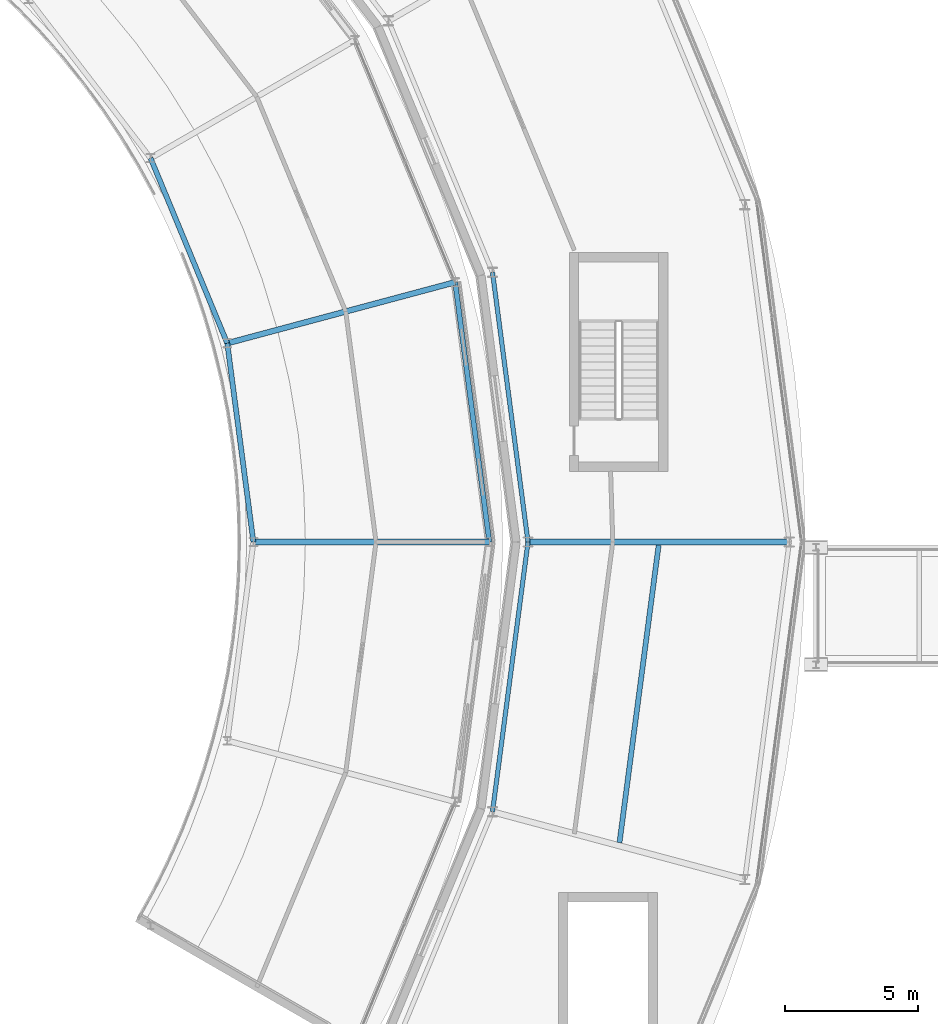
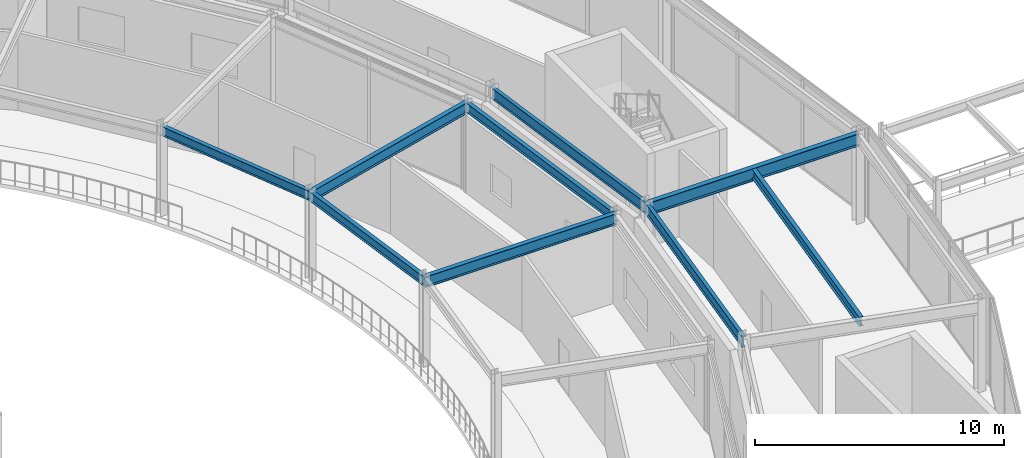
# One storey, part 49 of 157: 9 beams.
"""IFC4 building model written with IfcOpenShell, lengths in metres."""

from ifc_helpers import new_model, si_unit, direction, frame, origin, origin_2d, place, context, subcontext, project, spatial, i_section, extrude, material, material_profile, profile_set, type_object, element, save


model = new_model("IFC4")

# Units and contexts
model_context = context("Model", 3, precision=1e-05, world=origin(), true_north=direction((0.0, 1.0)))
body_context = subcontext(model_context, "Body", "Model", "MODEL_VIEW")
ifc_project = project(units=[si_unit("LENGTHUNIT", "METRE"), si_unit("AREAUNIT", "SQUARE_METRE"), si_unit("VOLUMEUNIT", "CUBIC_METRE"), si_unit("PLANEANGLEUNIT", "RADIAN"), si_unit("MASSUNIT", "GRAM", prefix="KILO")], contexts=[model_context])

# Site, building, storey
site_placement = place(None, origin())
site = spatial("IfcSite", under=ifc_project, at=site_placement, CompositionType="ELEMENT")
building_placement = place(site_placement, origin())
building = spatial("IfcBuilding", under=site, at=building_placement, Name="Almandine Court Research Institute", CompositionType="ELEMENT")
storey_placement = place(building_placement, frame((0.0, 0.0, 5.25)))
storey = spatial("IfcBuildingStorey", under=building, at=storey_placement, Name="L01", CompositionType="ELEMENT", Elevation=5.25)

# Beams
ifc_material = material(Name="Steel ASTM A992 Grade 50", Category="steel")
ifc_material_profile_1 = material_profile(ifc_material, i_section(OverallWidth=0.18994140625, OverallDepth=0.45703125, WebThickness=0.009033203125, FlangeThickness=0.014892578125, at=origin_2d()), Name="W460x74")
ifc_profile_set_1 = profile_set([ifc_material_profile_1], Name="Steel ASTM A992 Grade 50")
beam_type_1 = type_object("IfcBeamType", Name="Beam-B-01", PredefinedType="BEAM", material=ifc_profile_set_1)
beam_1_placement = place(storey_placement, frame((129.531982421875, 44.72802734375, 4.14111328125), z_axis=(0.130512904889, 0.991446610594, 0.0), x_axis=(-0.991446610594, 0.130512904889, 0.0)))
element("IfcBeam", 1, at=beam_1_placement, inside=storey, type_object=beam_type_1, Name="L01 Drum MID Ring Beam 23", PredefinedType="BEAM", context=body_context, shape_type="SweptSolid", body=[
    extrude(i_section(OverallWidth=0.18994140625, OverallDepth=0.45703125, WebThickness=0.009033203125, FlangeThickness=0.014892578125, at=origin_2d()), origin(), (0.0, 0.0, 1.0), 11.248046875),
])
beam_2_placement = place(storey_placement, frame((124.64990234375, 56.0, 4.14111328125), z_axis=(-0.130525188913, 0.991444993461, 0.0), x_axis=(-0.991444993461, -0.130525188913, 0.0)))
element("IfcBeam", 2, at=beam_2_placement, inside=storey, type_object=beam_type_1, Name="L01 Atrium Outer Ring Beam", PredefinedType="BEAM", context=body_context, shape_type="SweptSolid", body=[
    extrude(i_section(OverallWidth=0.18994140625, OverallDepth=0.45703125, WebThickness=0.009033203125, FlangeThickness=0.014892578125, at=origin_2d()), origin(), (0.0, 0.0, 1.0), 9.8291015625),
])
beam_3_placement = place(storey_placement, frame((115.800048828125, 56.0, 4.14111328125), z_axis=(-0.130474672489, 0.991451642713, 0.0), x_axis=(-0.991451642713, -0.130474672489, 0.0)))
element("IfcBeam", 3, at=beam_3_placement, inside=storey, type_object=beam_type_1, Name="L01 Atrium Gallery Edge Beam", PredefinedType="BEAM", context=body_context, shape_type="SweptSolid", body=[
    extrude(i_section(OverallWidth=0.18994140625, OverallDepth=0.45703125, WebThickness=0.009033203125, FlangeThickness=0.014892578125, at=origin_2d()), origin(), (0.0, 0.0, 1.0), 7.518310546875),
])
beam_4_placement = place(storey_placement, frame((114.819091796875, 63.4541015625, 4.14111328125), z_axis=(-0.382700732442, 0.923872366395, 0.0), x_axis=(-0.923872366395, -0.382700732442, 0.0)))
element("IfcBeam", 4, at=beam_4_placement, inside=storey, type_object=beam_type_1, Name="L01 Atrium Gallery Edge Beam", PredefinedType="BEAM", context=body_context, shape_type="SweptSolid", body=[
    extrude(i_section(OverallWidth=0.18994140625, OverallDepth=0.45703125, WebThickness=0.009033203125, FlangeThickness=0.014892578125, at=origin_2d()), origin(), (0.0, 0.0, 1.0), 7.51806640625),
])
ifc_material_profile_2 = material_profile(ifc_material, i_section(OverallWidth=0.22998046875, OverallDepth=0.616943359375, WebThickness=0.012939453125, FlangeThickness=0.02197265625, at=origin_2d()), Name="W610x140")
ifc_profile_set_2 = profile_set([ifc_material_profile_2], Name="Steel ASTM A992 Grade 50")
beam_type_2 = type_object("IfcBeamType", Name="Beam-G-02", PredefinedType="BEAM", material=ifc_profile_set_2)
beam_5_placement = place(storey_placement, frame((126.10009765625, 56.0, 4.06103515625), z_axis=(1.0, 0.0, 0.0), x_axis=(0.0, 1.0, 0.0)))
element("IfcBeam", 5, at=beam_5_placement, inside=storey, type_object=beam_type_2, Name="L01 Drum Radial Girder 00", PredefinedType="BEAM", context=body_context, shape_type="SweptSolid", body=[
    extrude(i_section(OverallWidth=0.22998046875, OverallDepth=0.616943359375, WebThickness=0.012939453125, FlangeThickness=0.02197265625, at=origin_2d()), origin(), (0.0, 0.0, 1.0), 9.7998046875),
])
ifc_material_profile_3 = material_profile(ifc_material, i_section(OverallWidth=0.2109375, OverallDepth=0.5390625, WebThickness=0.011962890625, FlangeThickness=0.01904296875, at=origin_2d()), Name="W530x109")
ifc_profile_set_3 = profile_set([ifc_material_profile_3], Name="Steel ASTM A992 Grade 50")
beam_type_3 = type_object("IfcBeamType", Name="Beam-G-04", PredefinedType="BEAM", material=ifc_profile_set_3)
beam_6_placement = place(storey_placement, frame((115.800048828125, 56.0, 4.10009765625), z_axis=(1.0, 0.0, 0.0), x_axis=(0.0, 1.0, 0.0)))
element("IfcBeam", 6, at=beam_6_placement, inside=storey, type_object=beam_type_3, Name="L01 Atrium Gallery Radial Girder", PredefinedType="BEAM", context=body_context, shape_type="SweptSolid", body=[
    extrude(i_section(OverallWidth=0.2109375, OverallDepth=0.5390625, WebThickness=0.011962890625, FlangeThickness=0.01904296875, at=origin_2d()), origin(), (0.0, 0.0, 1.0), 8.849853515625),
])
beam_7_placement = place(storey_placement, frame((114.819091796875, 63.4541015625, 4.10009765625), z_axis=(0.965908147944, 0.258885012576, 0.0), x_axis=(-0.258885012576, 0.965908147944, 0.0)))
element("IfcBeam", 7, at=beam_7_placement, inside=storey, type_object=beam_type_3, Name="L01 Atrium Gallery Radial Girder", PredefinedType="BEAM", context=body_context, shape_type="SweptSolid", body=[
    extrude(i_section(OverallWidth=0.2109375, OverallDepth=0.5390625, WebThickness=0.011962890625, FlangeThickness=0.01904296875, at=origin_2d()), origin(), (0.0, 0.0, 1.0), 8.849609375),
])
ifc_material_profile_4 = material_profile(ifc_material, i_section(OverallWidth=0.166015625, OverallDepth=0.534912109375, WebThickness=0.010009765625, FlangeThickness=0.01708984375, at=origin_2d()), Name="W530x85")
ifc_profile_set_4 = profile_set([ifc_material_profile_4], Name="Steel ASTM A992 Grade 50")
beam_type_4 = type_object("IfcBeamType", Name="Beam-G-05-E", PredefinedType="SPANDREL", material=ifc_profile_set_4)
for number, where, z_axis, x_axis, name in (
    (8, (126.10009765625, 56.0, 4.10205078125), (-0.130496584681, 0.991448758831, 0.0), (-0.991448758831, -0.130496584681, 0.0), "L01 Drum IN Ring Beam 00"),
    (9, (124.76806640625, 45.8798828125, 4.10205078125), (0.130496584681, 0.991448758831, 0.0), (-0.991448758831, 0.130496584681, 0.0), "L01 Drum IN Ring Beam 23"),
):
    element("IfcBeam", number, at=place(storey_placement, frame(where, z_axis=z_axis, x_axis=x_axis)), inside=storey, type_object=beam_type_4, Name=name, PredefinedType="SPANDREL", context=body_context, shape_type="SweptSolid", body=[
        extrude(i_section(OverallWidth=0.166015625, OverallDepth=0.534912109375, WebThickness=0.010009765625, FlangeThickness=0.01708984375, at=origin_2d()), origin(), (0.0, 0.0, 1.0), 10.20751953125),
    ])

save(model, "model.ifc")
